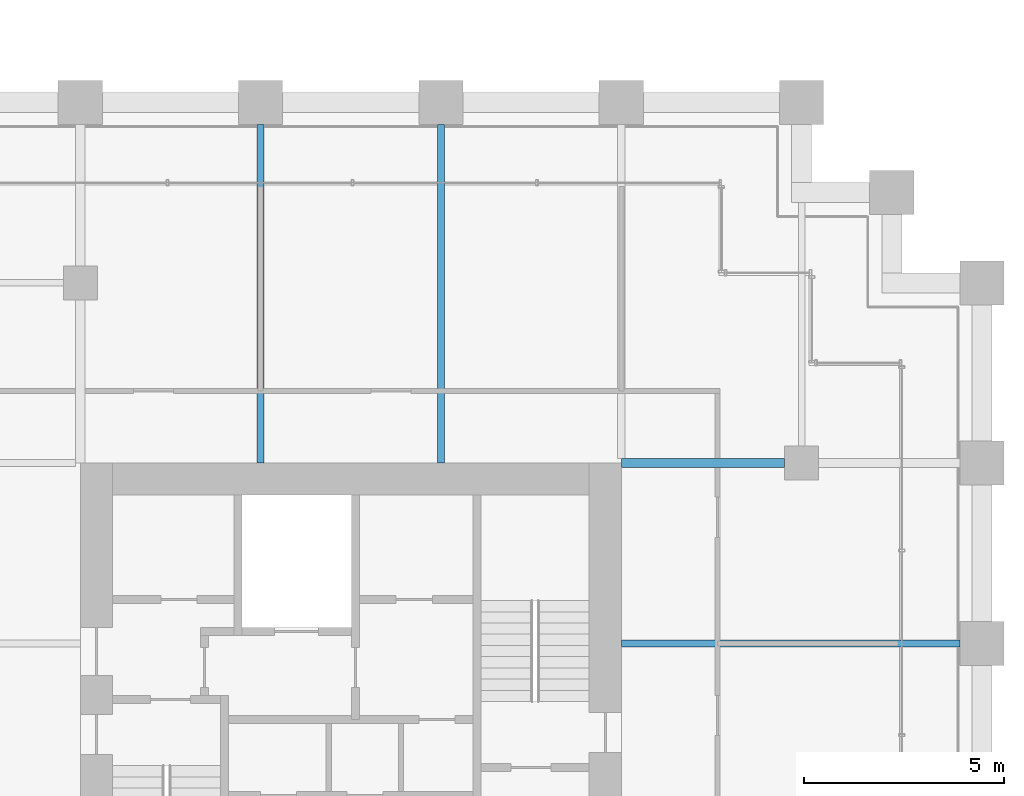
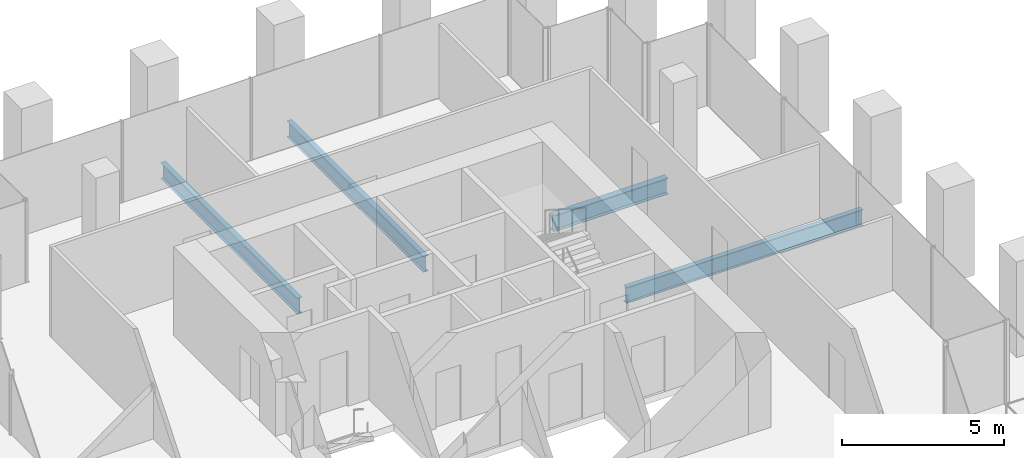
# One storey, part 43 of 54: 4 beams.
"""IFC4 building model written with IfcOpenShell, lengths in metres."""

from ifc_helpers import new_model, si_unit, direction, frame, origin, origin_2d, place, context, subcontext, project, spatial, i_section, extrude, material, material_profile, profile_set, type_object, element, save


model = new_model("IFC4")

# Units and contexts
model_context = context("Model", 3, precision=1e-05, world=origin(), true_north=direction((0.0, 1.0)))
body_context = subcontext(model_context, "Body", "Model", "MODEL_VIEW")
ifc_project = project(units=[si_unit("LENGTHUNIT", "METRE"), si_unit("AREAUNIT", "SQUARE_METRE"), si_unit("VOLUMEUNIT", "CUBIC_METRE"), si_unit("PLANEANGLEUNIT", "RADIAN"), si_unit("MASSUNIT", "GRAM", prefix="KILO")], contexts=[model_context])

# Site, building, storey
site_placement = place(None, origin())
site = spatial("IfcSite", under=ifc_project, at=site_placement, CompositionType="ELEMENT")
building_placement = place(site_placement, origin())
building = spatial("IfcBuilding", under=site, at=building_placement, Name="Altepetl Exchange Towers", CompositionType="ELEMENT")
storey_placement = place(building_placement, frame((0.0, 0.0, 65.39990234375)))
storey = spatial("IfcBuildingStorey", under=building, at=storey_placement, Name="L15", CompositionType="ELEMENT", Elevation=65.39990234375)

# Beams
ifc_material = material(Name="Steel S355", Category="steel")
ifc_material_profile_1 = material_profile(ifc_material, i_section(OverallWidth=0.177978515625, OverallDepth=0.59912109375, WebThickness=0.010009765625, FlangeThickness=0.0126953125, at=origin_2d()), Name="W24X55")
ifc_profile_set_1 = profile_set([ifc_material_profile_1], Name="Steel S355")
beam_type_1 = type_object("IfcBeamType", Name="Floor beam W24X55", PredefinedType="BEAM", material=ifc_profile_set_1)
for number, where, z_axis, x_axis, name in (
    (1, (108.0, 49.5, -0.449462890625), (0.0, 1.0, 0.0), (-1.0, 0.0, 0.0), "bm:B:L15:000"),
    (2, (112.5, 49.5, -0.449462890625), (0.0, 1.0, 0.0), (-1.0, 0.0, 0.0), "bm:B:L15:001"),
    (3, (117.0, 45.0, -0.449462890625), (1.0, 0.0, 0.0), (0.0, 1.0, 0.0), "bm:B:L15:007"),
):
    element("IfcBeam", number, at=place(storey_placement, frame(where, z_axis=z_axis, x_axis=x_axis)), inside=storey, type_object=beam_type_1, Name=name, PredefinedType="BEAM", context=body_context, shape_type="SweptSolid", body=[
        extrude(i_section(OverallWidth=0.177978515625, OverallDepth=0.59912109375, WebThickness=0.010009765625, FlangeThickness=0.0126953125, at=origin_2d()), origin(), (0.0, 0.0, 1.0), 8.449951171875),
    ])
ifc_material_profile_2 = material_profile(ifc_material, i_section(OverallWidth=0.22802734375, OverallDepth=0.60791015625, WebThickness=0.01123046875, FlangeThickness=0.017333984375, at=origin_2d()), Name="W24X76")
ifc_profile_set_2 = profile_set([ifc_material_profile_2], Name="Steel S355")
beam_type_2 = type_object("IfcBeamType", Name="Girder W24X76", PredefinedType="BEAM", material=ifc_profile_set_2)
beam_placement = place(storey_placement, frame((117.0, 49.5, -0.453857421875), z_axis=(1.0, 0.0, 0.0), x_axis=(0.0, 1.0, 0.0)))
element("IfcBeam", 4, at=beam_placement, inside=storey, type_object=beam_type_2, Name="gd:B:L15:000", PredefinedType="BEAM", context=body_context, shape_type="SweptSolid", body=[
    extrude(i_section(OverallWidth=0.22802734375, OverallDepth=0.60791015625, WebThickness=0.01123046875, FlangeThickness=0.017333984375, at=origin_2d()), origin(), (0.0, 0.0, 1.0), 4.074951171875),
])

save(model, "model.ifc")
